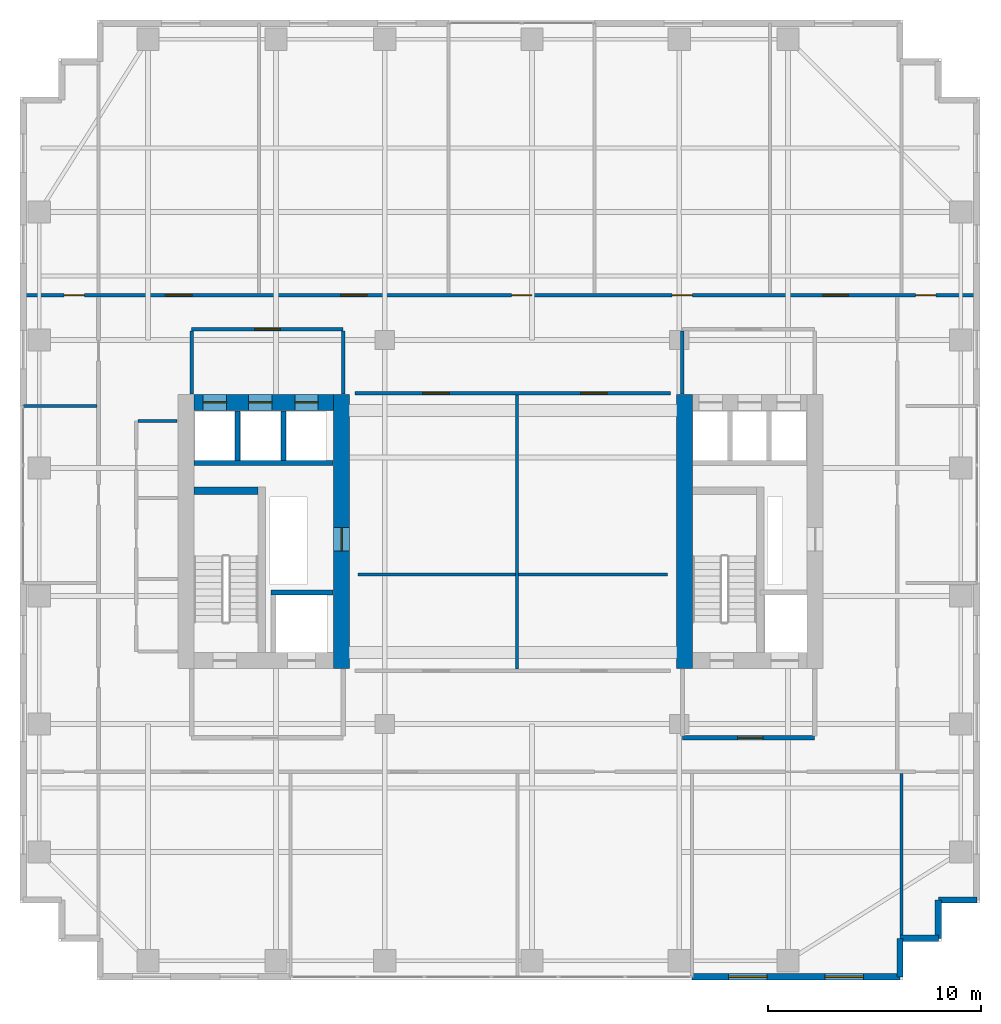
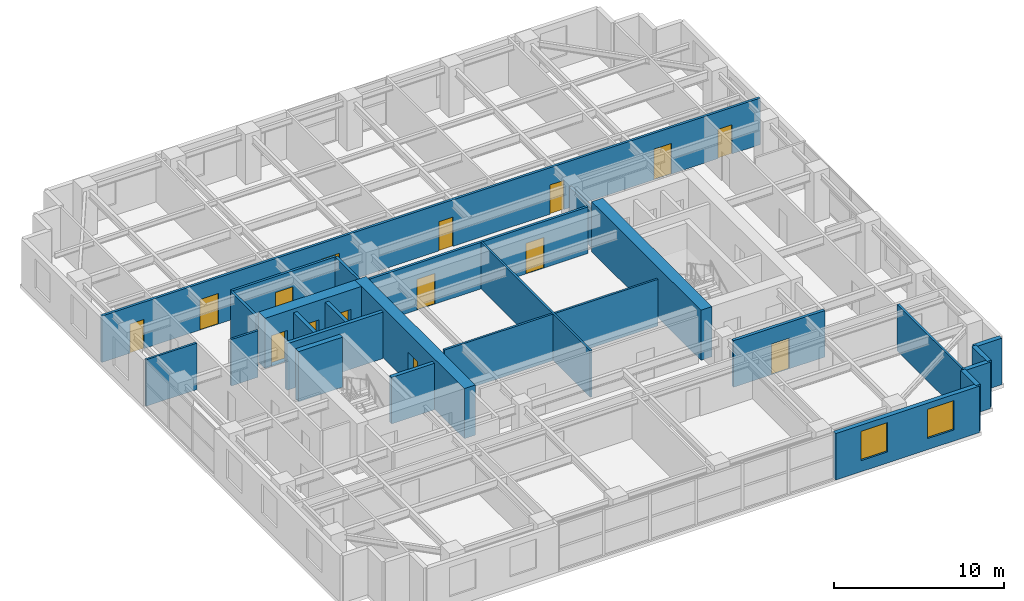
# One storey, part 15 of 18: 25 walls, 15 doors, 2 windows, 17 openings.
"""IFC4 building model written with IfcOpenShell, lengths in metres."""

from ifc_helpers import new_model, si_unit, direction, frame, frame_2d, origin, place, context, subcontext, project, spatial, rectangle, extrude, source, transform, mapped, material, layer, layer_set, type_object, element, fill, save


model = new_model("IFC4")

# Units and contexts
model_context = context("Model", 3, precision=1e-05, world=origin(), true_north=direction((0.0, 1.0)))
body_context = subcontext(model_context, "Body", "Model", "MODEL_VIEW")
ifc_project = project(units=[si_unit("LENGTHUNIT", "METRE"), si_unit("AREAUNIT", "SQUARE_METRE"), si_unit("VOLUMEUNIT", "CUBIC_METRE"), si_unit("PLANEANGLEUNIT", "RADIAN"), si_unit("MASSUNIT", "GRAM", prefix="KILO")], contexts=[model_context])

# Site, building, storey
site_placement = place(None, origin())
site = spatial("IfcSite", under=ifc_project, at=site_placement, CompositionType="ELEMENT")
building_placement = place(site_placement, origin())
building = spatial("IfcBuilding", under=site, at=building_placement, Name="Khoralis Quay Care Tower", CompositionType="ELEMENT")
storey_placement = place(building_placement, frame((0.0, 0.0, 130.5)))
storey = spatial("IfcBuildingStorey", under=building, at=storey_placement, Name="L34", CompositionType="ELEMENT", Elevation=130.5)

# Wall, opening, door
ifc_material_1 = material(Name="Gypsum plasterboard on acoustic metal stud")
ifc_layer_1 = layer(ifc_material_1, 0.199951171875)
ifc_layer_set_1 = layer_set([ifc_layer_1], Name="Gypsum plasterboard on acoustic metal stud")
wall_type_1 = type_object("IfcWallType", Name="WL-COMP-200", PredefinedType="PARTITIONING", material=ifc_layer_set_1)
wall_1_placement = place(storey_placement, frame((31.050048828125, 11.35009765625, 0.0), z_axis=(0.0, 0.0, 1.0), x_axis=(1.0, 0.0, 0.0)))
wall_1 = element("IfcWall", 1, at=wall_1_placement, inside=storey, type_object=wall_type_1, Name="L34 East Firefighting Lobby South Wall", PredefinedType="PARTITIONING", context=body_context, shape_type="SweptSolid", body=[
    extrude(rectangle(XDim=6.199951171875, YDim=0.199951171875, at=frame_2d((3.10009765625, 0.0))), origin(), (0.0, 0.0, 1.0), 3.340087890625),
])
opening_1_placement = place(wall_1_placement, frame((2.585693359375, 0.0, 0.0)))
opening_1 = element("IfcOpeningElement", 2, at=opening_1_placement, cuts=wall_1, Name="Opening FD1", PredefinedType="OPENING", context=body_context, shape_type="SweptSolid", body=[
    extrude(rectangle(XDim=1.199951171875, YDim=2.199951171875, at=frame_2d((0.60009765625, 1.10009765625))), frame((0.0, 0.10986328125, 0.0), z_axis=(0.0, -1.0, 0.0), x_axis=(1.0, 0.0, 0.0)), (0.0, 0.0, 1.0), 0.219970703125),
])
ifc_material_2 = material(Name="Fire-rated painted steel", Category="steel")
door_type_1 = type_object("IfcDoorType", Name="DR-FFL-1200X2200", OperationType="NOTDEFINED", PredefinedType="DOOR", material=ifc_material_2)
shared_shape_1 = source(origin(), body_context, "Body", "SweptSolid", [
    extrude(rectangle(XDim=1.199951171875, YDim=2.199951171875, at=frame_2d((0.60009765625, 1.10009765625))), frame((0.0, 0.02490234375, 0.0), z_axis=(0.0, -1.0, 0.0), x_axis=(1.0, 0.0, 0.0)), (0.0, 0.0, 1.0), 0.050048828125),
])
door_1_placement = place(opening_1_placement, origin())
door_1 = element("IfcDoor", 3, at=door_1_placement, inside=storey, type_object=door_type_1, Name="L34 East Firefighting Lobby Fire Door", OperationType="SINGLE_SWING_LEFT", OverallHeight=2.199951171875, OverallWidth=1.199951171875, PredefinedType="DOOR", context=body_context, shape_type="MappedRepresentation", body=[
    mapped(shared_shape_1, transform((0.0, 0.0, 0.0), scale=1.0)),
])
fill(opening_1, door_1)

ifc_material_3 = material(Name="Concrete C80/95", Category="concrete")
ifc_layer_2 = layer(ifc_material_3, 0.75)
ifc_layer_set_2 = layer_set([ifc_layer_2], Name="Concrete C80/95")
wall_type_2 = type_object("IfcWallType", Name="WL-CORE-750", PredefinedType="SHEAR", material=ifc_layer_set_2)
wall_2_placement = place(storey_placement, frame((15.074951171875, 14.60009765625, 0.0), z_axis=(0.0, 0.0, 1.0), x_axis=(0.0, 1.0, 0.0)))
wall_2 = element("IfcWall", 4, at=wall_2_placement, inside=storey, type_object=wall_type_2, Name="L34 WCORE East Shear Wall", PredefinedType="SHEAR", context=body_context, shape_type="SweptSolid", body=[
    extrude(rectangle(XDim=12.849853515625, YDim=0.75, at=frame_2d((6.4248046875, 0.0))), origin(), (0.0, 0.0, 1.0), 3.60009765625),
])
opening_2_placement = place(wall_2_placement, frame((5.5, 0.0, 0.0)))
opening_2 = element("IfcOpeningElement", 5, at=opening_2_placement, cuts=wall_2, Name="Opening SD1", PredefinedType="OPENING", context=body_context, shape_type="SweptSolid", body=[
    extrude(rectangle(XDim=1.10009765625, YDim=2.199951171875, at=frame_2d((0.550048828125, 1.10009765625))), frame((0.0, 0.385009765625, 0.0), z_axis=(0.0, -1.0, 0.0), x_axis=(1.0, 0.0, 0.0)), (0.0, 0.0, 1.0), 0.77001953125),
])
door_type_2 = type_object("IfcDoorType", Name="DR-STAIR-1100X2200", OperationType="NOTDEFINED", PredefinedType="DOOR", material=ifc_material_2)
shared_shape_2 = source(origin(), body_context, "Body", "SweptSolid", [
    extrude(rectangle(XDim=1.10009765625, YDim=2.199951171875, at=frame_2d((0.550048828125, 1.10009765625))), frame((0.0, 0.02490234375, 0.0), z_axis=(0.0, -1.0, 0.0), x_axis=(1.0, 0.0, 0.0)), (0.0, 0.0, 1.0), 0.050048828125),
])
door_2_placement = place(opening_2_placement, origin())
door_2 = element("IfcDoor", 6, at=door_2_placement, inside=storey, type_object=door_type_2, Name="L34 West MEP Riser Door", OperationType="SINGLE_SWING_RIGHT", OverallHeight=2.199951171875, OverallWidth=1.10009765625, PredefinedType="DOOR", context=body_context, shape_type="MappedRepresentation", body=[
    mapped(shared_shape_2, transform((0.0, 0.0, 0.0), scale=1.0)),
])
fill(opening_2, door_2)

# Wall, openings, doors
wall_3_placement = place(storey_placement, frame((8.14990234375, 27.074951171875, 0.0), z_axis=(0.0, 0.0, 1.0), x_axis=(1.0, 0.0, 0.0)))
wall_3 = element("IfcWall", 7, at=wall_3_placement, inside=storey, type_object=wall_type_2, Name="L34 WCORE North Shear Wall", PredefinedType="SHEAR", context=body_context, shape_type="SweptSolid", body=[
    extrude(rectangle(XDim=6.550048828125, YDim=0.75, at=frame_2d((3.27490234375, 0.0))), origin(), (0.0, 0.0, 1.0), 3.60009765625),
])
opening_3_placement = place(wall_3_placement, frame((0.429931640625, 0.0, 0.0)))
opening_3 = element("IfcOpeningElement", 8, at=opening_3_placement, cuts=wall_3, Name="Opening LD1", PredefinedType="OPENING", context=body_context, shape_type="SweptSolid", body=[
    extrude(rectangle(XDim=1.10009765625, YDim=2.199951171875, at=frame_2d((0.550048828125, 1.10009765625))), frame((0.0, 0.385009765625, 0.0), z_axis=(0.0, -1.0, 0.0), x_axis=(1.0, 0.0, 0.0)), (0.0, 0.0, 1.0), 0.77001953125),
])
opening_4_placement = place(wall_3_placement, frame((2.570068359375, 0.0, 0.0)))
opening_4 = element("IfcOpeningElement", 9, at=opening_4_placement, cuts=wall_3, Name="Opening LD1", PredefinedType="OPENING", context=body_context, shape_type="SweptSolid", body=[
    extrude(rectangle(XDim=1.10009765625, YDim=2.199951171875, at=frame_2d((0.550048828125, 1.10009765625))), frame((0.0, 0.385009765625, 0.0), z_axis=(0.0, -1.0, 0.0), x_axis=(1.0, 0.0, 0.0)), (0.0, 0.0, 1.0), 0.77001953125),
])
opening_5_placement = place(wall_3_placement, frame((4.72998046875, 0.0, 0.0)))
opening_5 = element("IfcOpeningElement", 10, at=opening_5_placement, cuts=wall_3, Name="Opening LD1", PredefinedType="OPENING", context=body_context, shape_type="SweptSolid", body=[
    extrude(rectangle(XDim=1.10009765625, YDim=2.199951171875, at=frame_2d((0.550048828125, 1.10009765625))), frame((0.0, 0.385009765625, 0.0), z_axis=(0.0, -1.0, 0.0), x_axis=(1.0, 0.0, 0.0)), (0.0, 0.0, 1.0), 0.77001953125),
])
ifc_material_4 = material(Name="Brushed stainless steel", Category="steel")
door_type_3 = type_object("IfcDoorType", Name="DR-LIFT-1100X2200", OperationType="SLIDING_TO_LEFT", PredefinedType="DOOR", material=ifc_material_4)
shared_shape_3 = source(origin(), body_context, "Body", "SweptSolid", [
    extrude(rectangle(XDim=1.10009765625, YDim=2.199951171875, at=frame_2d((0.550048828125, 1.10009765625))), frame((0.0, 0.02490234375, 0.0), z_axis=(0.0, -1.0, 0.0), x_axis=(1.0, 0.0, 0.0)), (0.0, 0.0, 1.0), 0.050048828125),
])
door_3_placement = place(opening_3_placement, origin())
door_3 = element("IfcDoor", 11, at=door_3_placement, inside=storey, type_object=door_type_3, Name="L34 Lift PLL1 Landing Door", OperationType="SLIDING_TO_LEFT", OverallHeight=2.199951171875, OverallWidth=1.10009765625, PredefinedType="DOOR", context=body_context, shape_type="MappedRepresentation", body=[
    mapped(shared_shape_3, transform((0.0, 0.0, 0.0), scale=1.0)),
])
fill(opening_3, door_3)
door_4_placement = place(opening_4_placement, origin())
door_4 = element("IfcDoor", 12, at=door_4_placement, inside=storey, type_object=door_type_3, Name="L34 Lift PLM1 Landing Door", OperationType="SLIDING_TO_LEFT", OverallHeight=2.199951171875, OverallWidth=1.10009765625, PredefinedType="DOOR", context=body_context, shape_type="MappedRepresentation", body=[
    mapped(shared_shape_3, transform((0.0, 0.0, 0.0), scale=1.0)),
])
fill(opening_4, door_4)
door_5_placement = place(opening_5_placement, origin())
door_5 = element("IfcDoor", 13, at=door_5_placement, inside=storey, type_object=door_type_3, Name="L34 Lift PLH1 Landing Door", OperationType="SLIDING_TO_LEFT", OverallHeight=2.199951171875, OverallWidth=1.10009765625, PredefinedType="DOOR", context=body_context, shape_type="MappedRepresentation", body=[
    mapped(shared_shape_3, transform((0.0, 0.0, 0.0), scale=1.0)),
])
fill(opening_5, door_5)

# Wall
wall_4_placement = place(storey_placement, frame((31.14501953125, 14.60009765625, 0.0), z_axis=(0.0, 0.0, 1.0), x_axis=(0.0, 1.0, 0.0)))
element("IfcWall", 14, at=wall_4_placement, inside=storey, type_object=wall_type_2, Name="L34 ECORE West Shear Wall", PredefinedType="SHEAR", context=body_context, shape_type="SweptSolid", body=[
    extrude(rectangle(XDim=12.849853515625, YDim=0.75, at=frame_2d((6.4248046875, 0.0))), origin(), (0.0, 0.0, 1.0), 3.60009765625),
])

# Wall, opening, door
ifc_layer_3 = layer(ifc_material_1, 0.1650390625)
ifc_layer_set_3 = layer_set([ifc_layer_3], Name="Gypsum plasterboard on acoustic metal stud")
wall_type_3 = type_object("IfcWallType", Name="WL-CORR-165", PredefinedType="PARTITIONING", material=ifc_layer_set_3)
wall_5_placement = place(storey_placement, frame((8.050048828125, 30.5, 0.0), z_axis=(0.0, 0.0, 1.0), x_axis=(1.0, 0.0, 0.0)))
wall_5 = element("IfcWall", 15, at=wall_5_placement, inside=storey, type_object=wall_type_3, Name="L34 West Lift Lobby North Wall", PredefinedType="PARTITIONING", context=body_context, shape_type="SweptSolid", body=[
    extrude(rectangle(XDim=7.099853515625, YDim=0.1650390625, at=frame_2d((3.5498046875, 0.0))), origin(), (0.0, 0.0, 1.0), 3.340087890625),
])
opening_6_placement = place(wall_5_placement, frame((2.949951171875, 0.0, 0.0)))
opening_6 = element("IfcOpeningElement", 16, at=opening_6_placement, cuts=wall_5, Name="Opening FD1", PredefinedType="OPENING", context=body_context, shape_type="SweptSolid", body=[
    extrude(rectangle(XDim=1.199951171875, YDim=2.199951171875, at=frame_2d((0.60009765625, 1.10009765625))), frame((0.0, 0.092529296875, 0.0), z_axis=(0.0, -1.0, 0.0), x_axis=(1.0, 0.0, 0.0)), (0.0, 0.0, 1.0), 0.18505859375),
])
door_6_placement = place(opening_6_placement, origin())
door_6 = element("IfcDoor", 17, at=door_6_placement, inside=storey, type_object=door_type_1, Name="L34 West Lift Lobby Double Door", OperationType="DOUBLE_DOOR_SINGLE_SWING", OverallHeight=2.199951171875, OverallWidth=1.199951171875, PredefinedType="DOOR", context=body_context, shape_type="MappedRepresentation", body=[
    mapped(shared_shape_1, transform((0.0, 0.0, 0.0), scale=1.0)),
])
fill(opening_6, door_6)

# Walls
for number, where, z_axis, x_axis, name in (
    (18, (8.050048828125, 27.469970703125, 0.0), (0.0, 0.0, 1.0), (0.0, 1.0, 0.0), "L34 West Lift Lobby West Wall"),
    (19, (15.14990234375, 27.469970703125, 0.0), (0.0, 0.0, 1.0), (0.0, 1.0, 0.0), "L34 West Lift Lobby East Wall"),
):
    element("IfcWall", number, at=place(storey_placement, frame(where, z_axis=z_axis, x_axis=x_axis)), inside=storey, type_object=wall_type_3, Name=name, PredefinedType="PARTITIONING", context=body_context, shape_type="SweptSolid", body=[
        extrude(rectangle(XDim=2.95263671875, YDim=0.1650390625, at=frame_2d((1.476318359375, 0.0))), origin(), (0.0, 0.0, 1.0), 3.340087890625),
    ])
wall_6_placement = place(storey_placement, frame((31.050048828125, 27.469970703125, 0.0), z_axis=(0.0, 0.0, 1.0), x_axis=(0.0, 1.0, 0.0)))
element("IfcWall", 20, at=wall_6_placement, inside=storey, type_object=wall_type_3, Name="L34 East Lift Lobby West Wall", PredefinedType="PARTITIONING", context=body_context, shape_type="SweptSolid", body=[
    extrude(rectangle(XDim=2.95263671875, YDim=0.1650390625, at=frame_2d((1.476318359375, 0.0))), origin(), (0.0, 0.0, 1.0), 2.7958984375),
])

# Wall, openings, doors
wall_7_placement = place(storey_placement, frame((0.14501953125, 32.10009765625, 0.0), z_axis=(0.0, 0.0, 1.0), x_axis=(1.0, 0.0, 0.0)))
wall_7 = element("IfcWall", 21, at=wall_7_placement, inside=storey, type_object=wall_type_3, Name="L34 North Main Corridor Wall", PredefinedType="PARTITIONING", context=body_context, shape_type="SweptSolid", body=[
    extrude(rectangle(XDim=44.7099609375, YDim=0.1650390625, at=frame_2d((22.35498046875, 0.0))), origin(), (0.0, 0.0, 1.0), 3.340087890625),
])
opening_7_placement = place(wall_7_placement, frame((6.675048828125, 0.0, 0.0)))
opening_7 = element("IfcOpeningElement", 22, at=opening_7_placement, cuts=wall_7, Name="Opening CD1", PredefinedType="OPENING", context=body_context, shape_type="SweptSolid", body=[
    extrude(rectangle(XDim=1.25, YDim=2.199951171875, at=frame_2d((0.625, 1.10009765625))), frame((0.0, 0.092529296875, 0.0), z_axis=(0.0, -1.0, 0.0), x_axis=(1.0, 0.0, 0.0)), (0.0, 0.0, 1.0), 0.18505859375),
])
opening_8_placement = place(wall_7_placement, frame((14.8798828125, 0.0, 0.0)))
opening_8 = element("IfcOpeningElement", 23, at=opening_8_placement, cuts=wall_7, Name="Opening CD1", PredefinedType="OPENING", context=body_context, shape_type="SweptSolid", body=[
    extrude(rectangle(XDim=1.25, YDim=2.199951171875, at=frame_2d((0.625, 1.10009765625))), frame((0.0, 0.092529296875, 0.0), z_axis=(0.0, -1.0, 0.0), x_axis=(1.0, 0.0, 0.0)), (0.0, 0.0, 1.0), 0.18505859375),
])
opening_9_placement = place(wall_7_placement, frame((22.89501953125, 0.0, 0.0)))
opening_9 = element("IfcOpeningElement", 24, at=opening_9_placement, cuts=wall_7, Name="Opening ID1", PredefinedType="OPENING", context=body_context, shape_type="SweptSolid", body=[
    extrude(rectangle(XDim=0.949951171875, YDim=2.10009765625, at=frame_2d((0.47509765625, 1.050048828125))), frame((0.0, 0.092529296875, 0.0), z_axis=(0.0, -1.0, 0.0), x_axis=(1.0, 0.0, 0.0)), (0.0, 0.0, 1.0), 0.18505859375),
])
opening_10_placement = place(wall_7_placement, frame((30.425048828125, 0.0, 0.0)))
opening_10 = element("IfcOpeningElement", 25, at=opening_10_placement, cuts=wall_7, Name="Opening ID1", PredefinedType="OPENING", context=body_context, shape_type="SweptSolid", body=[
    extrude(rectangle(XDim=0.949951171875, YDim=2.10009765625, at=frame_2d((0.47509765625, 1.050048828125))), frame((0.0, 0.092529296875, 0.0), z_axis=(0.0, -1.0, 0.0), x_axis=(1.0, 0.0, 0.0)), (0.0, 0.0, 1.0), 0.18505859375),
])
opening_11_placement = place(wall_7_placement, frame((37.489990234375, 0.0, 0.0)))
opening_11 = element("IfcOpeningElement", 26, at=opening_11_placement, cuts=wall_7, Name="Opening FD1", PredefinedType="OPENING", context=body_context, shape_type="SweptSolid", body=[
    extrude(rectangle(XDim=1.199951171875, YDim=2.199951171875, at=frame_2d((0.60009765625, 1.10009765625))), frame((0.0, 0.092529296875, 0.0), z_axis=(0.0, -1.0, 0.0), x_axis=(1.0, 0.0, 0.0)), (0.0, 0.0, 1.0), 0.18505859375),
])
opening_12_placement = place(wall_7_placement, frame((1.919921875, 0.0, 0.0)))
opening_12 = element("IfcOpeningElement", 27, at=opening_12_placement, cuts=wall_7, Name="Opening ID1", PredefinedType="OPENING", context=body_context, shape_type="SweptSolid", body=[
    extrude(rectangle(XDim=0.949951171875, YDim=2.10009765625, at=frame_2d((0.47509765625, 1.050048828125))), frame((0.0, 0.092529296875, 0.0), z_axis=(0.0, -1.0, 0.0), x_axis=(1.0, 0.0, 0.0)), (0.0, 0.0, 1.0), 0.18505859375),
])
opening_13_placement = place(wall_7_placement, frame((41.840087890625, 0.0, 0.0)))
opening_13 = element("IfcOpeningElement", 28, at=opening_13_placement, cuts=wall_7, Name="Opening ID1", PredefinedType="OPENING", context=body_context, shape_type="SweptSolid", body=[
    extrude(rectangle(XDim=0.949951171875, YDim=2.10009765625, at=frame_2d((0.47509765625, 1.050048828125))), frame((0.0, 0.092529296875, 0.0), z_axis=(0.0, -1.0, 0.0), x_axis=(1.0, 0.0, 0.0)), (0.0, 0.0, 1.0), 0.18505859375),
])
door_7_placement = place(opening_11_placement, origin())
door_7 = element("IfcDoor", 29, at=door_7_placement, inside=storey, type_object=door_type_1, Name="L34 Senior Wellness Pharmacy Shop Door", OperationType="DOUBLE_DOOR_SINGLE_SWING", OverallHeight=2.199951171875, OverallWidth=1.199951171875, PredefinedType="DOOR", context=body_context, shape_type="MappedRepresentation", body=[
    mapped(shared_shape_1, transform((0.0, 0.0, 0.0), scale=1.0)),
])
fill(opening_11, door_7)
ifc_material_5 = material(Name="Acoustic hardwood timber", Category="wood")
door_type_4 = type_object("IfcDoorType", Name="DR-CARE-1250X2200", OperationType="NOTDEFINED", PredefinedType="DOOR", material=ifc_material_5)
shared_shape_4 = source(origin(), body_context, "Body", "SweptSolid", [
    extrude(rectangle(XDim=1.25, YDim=2.199951171875, at=frame_2d((0.625, 1.10009765625))), frame((0.0, 0.02490234375, 0.0), z_axis=(0.0, -1.0, 0.0), x_axis=(1.0, 0.0, 0.0)), (0.0, 0.0, 1.0), 0.050048828125),
])
door_8_placement = place(opening_7_placement, origin())
door_8 = element("IfcDoor", 30, at=door_8_placement, inside=storey, type_object=door_type_4, Name="L34 Physiotherapy Treatment Clinic Door", OperationType="SINGLE_SWING_RIGHT", OverallHeight=2.199951171875, OverallWidth=1.25, PredefinedType="DOOR", context=body_context, shape_type="MappedRepresentation", body=[
    mapped(shared_shape_4, transform((0.0, 0.0, 0.0), scale=1.0)),
])
fill(opening_7, door_8)
door_9_placement = place(opening_8_placement, origin())
door_9 = element("IfcDoor", 31, at=door_9_placement, inside=storey, type_object=door_type_4, Name="L34 Geriatric Consultation Clinic Door", OperationType="SINGLE_SWING_LEFT", OverallHeight=2.199951171875, OverallWidth=1.25, PredefinedType="DOOR", context=body_context, shape_type="MappedRepresentation", body=[
    mapped(shared_shape_4, transform((0.0, 0.0, 0.0), scale=1.0)),
])
fill(opening_8, door_9)
door_type_5 = type_object("IfcDoorType", Name="DR-ROOM-950X2100", OperationType="NOTDEFINED", PredefinedType="DOOR", material=ifc_material_5)
shared_shape_5 = source(origin(), body_context, "Body", "SweptSolid", [
    extrude(rectangle(XDim=0.949951171875, YDim=2.10009765625, at=frame_2d((0.47509765625, 1.050048828125))), frame((0.0, 0.02490234375, 0.0), z_axis=(0.0, -1.0, 0.0), x_axis=(1.0, 0.0, 0.0)), (0.0, 0.0, 1.0), 0.050048828125),
])
door_10_placement = place(opening_9_placement, origin())
door_10 = element("IfcDoor", 32, at=door_10_placement, inside=storey, type_object=door_type_5, Name="L34 Family Case Conference Room Door", OperationType="SINGLE_SWING_LEFT", OverallHeight=2.10009765625, OverallWidth=0.949951171875, PredefinedType="DOOR", context=body_context, shape_type="MappedRepresentation", body=[
    mapped(shared_shape_5, transform((0.0, 0.0, 0.0), scale=1.0)),
])
fill(opening_9, door_10)
door_11_placement = place(opening_10_placement, origin())
door_11 = element("IfcDoor", 33, at=door_11_placement, inside=storey, type_object=door_type_5, Name="L34 Care Coordination Office Door", OperationType="SINGLE_SWING_RIGHT", OverallHeight=2.10009765625, OverallWidth=0.949951171875, PredefinedType="DOOR", context=body_context, shape_type="MappedRepresentation", body=[
    mapped(shared_shape_5, transform((0.0, 0.0, 0.0), scale=1.0)),
])
fill(opening_10, door_11)
door_12_placement = place(opening_12_placement, origin())
door_12 = element("IfcDoor", 34, at=door_12_placement, inside=storey, type_object=door_type_5, Name="L34 NW Corner Door", OperationType="SINGLE_SWING_RIGHT", OverallHeight=2.10009765625, OverallWidth=0.949951171875, PredefinedType="DOOR", context=body_context, shape_type="MappedRepresentation", body=[
    mapped(shared_shape_5, transform((0.0, 0.0, 0.0), scale=1.0)),
])
fill(opening_12, door_12)
door_13_placement = place(opening_13_placement, origin())
door_13 = element("IfcDoor", 35, at=door_13_placement, inside=storey, type_object=door_type_5, Name="L34 NE Corner Door", OperationType="SINGLE_SWING_LEFT", OverallHeight=2.10009765625, OverallWidth=0.949951171875, PredefinedType="DOOR", context=body_context, shape_type="MappedRepresentation", body=[
    mapped(shared_shape_5, transform((0.0, 0.0, 0.0), scale=1.0)),
])
fill(opening_13, door_13)

wall_8_placement = place(storey_placement, frame((15.699951171875, 27.5, 0.0), z_axis=(0.0, 0.0, 1.0), x_axis=(1.0, 0.0, 0.0)))
wall_8 = element("IfcWall", 36, at=wall_8_placement, inside=storey, type_object=wall_type_3, Name="L34 Central Clinical North Wall", PredefinedType="PARTITIONING", context=body_context, shape_type="SweptSolid", body=[
    extrude(rectangle(XDim=14.800048828125, YDim=0.1650390625, at=frame_2d((7.39990234375, 0.0))), origin(), (0.0, 0.0, 1.0), 3.340087890625),
])
opening_14_placement = place(wall_8_placement, frame((3.175048828125, 0.0, 0.0)))
opening_14 = element("IfcOpeningElement", 37, at=opening_14_placement, cuts=wall_8, Name="Opening CD1", PredefinedType="OPENING", context=body_context, shape_type="SweptSolid", body=[
    extrude(rectangle(XDim=1.25, YDim=2.199951171875, at=frame_2d((0.625, 1.10009765625))), frame((0.0, 0.092529296875, 0.0), z_axis=(0.0, -1.0, 0.0), x_axis=(1.0, 0.0, 0.0)), (0.0, 0.0, 1.0), 0.18505859375),
])
opening_15_placement = place(wall_8_placement, frame((10.574951171875, 0.0, 0.0)))
opening_15 = element("IfcOpeningElement", 38, at=opening_15_placement, cuts=wall_8, Name="Opening CD1", PredefinedType="OPENING", context=body_context, shape_type="SweptSolid", body=[
    extrude(rectangle(XDim=1.25, YDim=2.199951171875, at=frame_2d((0.625, 1.10009765625))), frame((0.0, 0.092529296875, 0.0), z_axis=(0.0, -1.0, 0.0), x_axis=(1.0, 0.0, 0.0)), (0.0, 0.0, 1.0), 0.18505859375),
])
door_14_placement = place(opening_14_placement, frame((1.25, 0.0, 0.0), z_axis=(0.0, 0.0, 1.0), x_axis=(-1.0, 0.0, 0.0)))
door_14 = element("IfcDoor", 39, at=door_14_placement, inside=storey, type_object=door_type_4, Name="L34 Library Lounge Door", OperationType="SINGLE_SWING_LEFT", OverallHeight=2.199951171875, OverallWidth=1.25, PredefinedType="DOOR", context=body_context, shape_type="MappedRepresentation", body=[
    mapped(shared_shape_4, transform((0.0, 0.0, 0.0), scale=1.0)),
])
fill(opening_14, door_14)
door_15_placement = place(opening_15_placement, frame((1.25, 0.0, 0.0), z_axis=(0.0, 0.0, 1.0), x_axis=(-1.0, 0.0, 0.0)))
door_15 = element("IfcDoor", 40, at=door_15_placement, inside=storey, type_object=door_type_4, Name="L34 Occupational Therapy Door", OperationType="SINGLE_SWING_RIGHT", OverallHeight=2.199951171875, OverallWidth=1.25, PredefinedType="DOOR", context=body_context, shape_type="MappedRepresentation", body=[
    mapped(shared_shape_4, transform((0.0, 0.0, 0.0), scale=1.0)),
])
fill(opening_15, door_15)

# Wall, openings, windows
ifc_material_6 = material(Name="Precast concrete C45/55", Category="concrete")
ifc_layer_4 = layer(ifc_material_6, 0.300048828125)
ifc_layer_set_4 = layer_set([ifc_layer_4], Name="Precast concrete C45/55")
wall_type_4 = type_object("IfcWallType", Name="WL-EXT-REF-300", PredefinedType="SOLIDWALL", material=ifc_layer_set_4)
wall_9_placement = place(storey_placement, frame((31.5, 0.14990234375, 0.0), z_axis=(0.0, 0.0, 1.0), x_axis=(1.0, 0.0, 0.0)))
wall_9 = element("IfcWall", 41, at=wall_9_placement, inside=storey, type_object=wall_type_4, Name="L34 External Facade Wall WL-EXT-L34-P1-E0B", PredefinedType="SOLIDWALL", context=body_context, shape_type="SweptSolid", body=[
    extrude(rectangle(XDim=9.75, YDim=0.300048828125, at=frame_2d((4.875, 0.0))), origin(), (0.0, 0.0, 1.0), 3.340087890625),
])
opening_16_placement = place(wall_9_placement, frame((1.717529296875, 0.0, 0.800048828125)))
opening_16 = element("IfcOpeningElement", 42, at=opening_16_placement, cuts=wall_9, Name="Opening W2", PredefinedType="OPENING", context=body_context, shape_type="SweptSolid", body=[
    extrude(rectangle(XDim=1.800048828125, YDim=2.10009765625, at=frame_2d((0.89990234375, 1.050048828125))), frame((0.0, 0.16015625, 0.0), z_axis=(0.0, -1.0, 0.0), x_axis=(1.0, 0.0, 0.0)), (0.0, 0.0, 1.0), 0.320068359375),
])
opening_17_placement = place(wall_9_placement, frame((6.232421875, 0.0, 0.800048828125)))
opening_17 = element("IfcOpeningElement", 43, at=opening_17_placement, cuts=wall_9, Name="Opening W2", PredefinedType="OPENING", context=body_context, shape_type="SweptSolid", body=[
    extrude(rectangle(XDim=1.800048828125, YDim=2.10009765625, at=frame_2d((0.89990234375, 1.050048828125))), frame((0.0, 0.16015625, 0.0), z_axis=(0.0, -1.0, 0.0), x_axis=(1.0, 0.0, 0.0)), (0.0, 0.0, 1.0), 0.320068359375),
])
ifc_material_7 = material(Name="Low-E solar-control double glazing", Category="glass")
window_type = type_object("IfcWindowType", Name="WN-POD-1800X2100", PartitioningType="SINGLE_PANEL", PredefinedType="WINDOW", material=ifc_material_7)
shared_shape_6 = source(origin(), body_context, "Body", "SweptSolid", [
    extrude(rectangle(XDim=1.800048828125, YDim=2.10009765625, at=frame_2d((0.89990234375, 1.050048828125))), frame((0.0, 0.030029296875, 0.0), z_axis=(0.0, -1.0, 0.0), x_axis=(1.0, 0.0, 0.0)), (0.0, 0.0, 1.0), 0.06005859375),
])
window_1_placement = place(opening_16_placement, origin())
window_1 = element("IfcWindow", 44, at=window_1_placement, inside=storey, type_object=window_type, Name="WN-L34-P1-E0B Facade Window 01", OverallHeight=2.10009765625, OverallWidth=1.800048828125, PartitioningType="SINGLE_PANEL", PredefinedType="WINDOW", context=body_context, shape_type="MappedRepresentation", body=[
    mapped(shared_shape_6, transform((0.0, 0.0, 0.0), scale=1.0)),
])
fill(opening_16, window_1)
window_2_placement = place(opening_17_placement, origin())
window_2 = element("IfcWindow", 45, at=window_2_placement, inside=storey, type_object=window_type, Name="WN-L34-P1-E0B Facade Window 02", OverallHeight=2.10009765625, OverallWidth=1.800048828125, PartitioningType="SINGLE_PANEL", PredefinedType="WINDOW", context=body_context, shape_type="MappedRepresentation", body=[
    mapped(shared_shape_6, transform((0.0, 0.0, 0.0), scale=1.0)),
])
fill(opening_17, window_2)

# Walls
for number, where, z_axis, x_axis, name in (
    (46, (41.25, 0.14990234375, 0.0), (0.0, 0.0, 1.0), (0.0, 1.0, 0.0), "L34 External Facade Wall WL-EXT-L34-P1-C1"),
    (47, (41.25, 1.949951171875, 0.0), (0.0, 0.0, 1.0), (1.0, 0.0, 0.0), "L34 External Facade Wall WL-EXT-L34-P1-C2"),
    (48, (43.050048828125, 1.949951171875, 0.0), (0.0, 0.0, 1.0), (0.0, 1.0, 0.0), "L34 External Facade Wall WL-EXT-L34-P1-C3"),
    (49, (43.050048828125, 3.75, 0.0), (0.0, 0.0, 1.0), (1.0, 0.0, 0.0), "L34 External Facade Wall WL-EXT-L34-P1-C4"),
):
    element("IfcWall", number, at=place(storey_placement, frame(where, z_axis=z_axis, x_axis=x_axis)), inside=storey, type_object=wall_type_4, Name=name, PredefinedType="SOLIDWALL", context=body_context, shape_type="SweptSolid", body=[
        extrude(rectangle(XDim=1.800048828125, YDim=0.300048828125, at=frame_2d((0.89990234375, 0.0))), origin(), (0.0, 0.0, 1.0), 3.340087890625),
    ])
ifc_material_8 = material(Name="Concrete C40/50", Category="concrete")
ifc_layer_5 = layer(ifc_material_8, 0.35009765625)
ifc_layer_set_5 = layer_set([ifc_layer_5], Name="Concrete C40/50")
wall_type_5 = type_object("IfcWallType", Name="WL-SC-CORE-350", PredefinedType="SHEAR", material=ifc_layer_set_5)
wall_10_placement = place(storey_placement, frame((8.14990234375, 22.925048828125, 0.0), z_axis=(0.0, 0.0, 1.0), x_axis=(1.0, 0.0, 0.0)))
element("IfcWall", 50, at=wall_10_placement, inside=storey, type_object=wall_type_5, Name="L34 Stair ST-T1 Shear Baffle Wall North", PredefinedType="SHEAR", context=body_context, shape_type="SweptSolid", body=[
    extrude(rectangle(XDim=3.0, YDim=0.35009765625, at=frame_2d((1.5, 0.0))), origin(), (0.0, 0.0, 1.0), 3.60009765625),
])
ifc_layer_6 = layer(ifc_material_1, 0.239990234375)
ifc_layer_set_6 = layer_set([ifc_layer_6], Name="Gypsum plasterboard on acoustic metal stud")
wall_type_6 = type_object("IfcWallType", Name="WL-SHAFT-240", PredefinedType="PARTITIONING", material=ifc_layer_set_6)
wall_11_placement = place(storey_placement, frame((11.760009765625, 18.169921875, 0.0), z_axis=(0.0, 0.0, 1.0), x_axis=(1.0, 0.0, 0.0)))
element("IfcWall", 51, at=wall_11_placement, inside=storey, type_object=wall_type_6, Name="L34 FFL-1 Shaft Wall North", PredefinedType="PARTITIONING", context=body_context, shape_type="SweptSolid", body=[
    extrude(rectangle(XDim=2.919921875, YDim=0.239990234375, at=frame_2d((1.4599609375, 0.0))), origin(), (0.0, 0.0, 1.0), 3.340087890625),
])
wall_12_placement = place(storey_placement, frame((8.14990234375, 24.22998046875, 0.0), z_axis=(0.0, 0.0, 1.0), x_axis=(1.0, 0.0, 0.0)))
element("IfcWall", 52, at=wall_12_placement, inside=storey, type_object=wall_type_6, Name="L34 West Passenger Shaft South Wall", PredefinedType="PARTITIONING", context=body_context, shape_type="SweptSolid", body=[
    extrude(rectangle(XDim=6.530029296875, YDim=0.239990234375, at=frame_2d((3.26513671875, 0.0))), origin(), (0.0, 0.0, 1.0), 3.340087890625),
])
for number, where, z_axis, x_axis, name in (
    (53, (10.199951171875, 24.344970703125, 0.0), (0.0, 0.0, 1.0), (0.0, 1.0, 0.0), "L34 West Shaft Divider 1"),
    (54, (12.35009765625, 24.344970703125, 0.0), (0.0, 0.0, 1.0), (0.0, 1.0, 0.0), "L34 West Shaft Divider 2"),
):
    element("IfcWall", number, at=place(storey_placement, frame(where, z_axis=z_axis, x_axis=x_axis)), inside=storey, type_object=wall_type_6, Name=name, PredefinedType="PARTITIONING", context=body_context, shape_type="SweptSolid", body=[
        extrude(rectangle(XDim=2.3349609375, YDim=0.239990234375, at=frame_2d((1.16748046875, 0.0))), origin(), (0.0, 0.0, 1.0), 3.340087890625),
    ])
ifc_layer_7 = layer(ifc_material_1, 0.139892578125)
ifc_layer_set_7 = layer_set([ifc_layer_7], Name="Gypsum plasterboard on acoustic metal stud")
wall_type_7 = type_object("IfcWallType", Name="WL-UNIT-140", PredefinedType="PARTITIONING", material=ifc_layer_set_7)
wall_13_placement = place(storey_placement, frame((5.527587890625, 26.199951171875, 0.0), z_axis=(0.0, 0.0, 1.0), x_axis=(1.0, 0.0, 0.0)))
element("IfcWall", 55, at=wall_13_placement, inside=storey, type_object=wall_type_7, Name="L34 West Flank North Cap", PredefinedType="PARTITIONING", context=body_context, shape_type="SweptSolid", body=[
    extrude(rectangle(XDim=1.83251953125, YDim=0.139892578125, at=frame_2d((0.916259765625, 0.0))), origin(), (0.0, 0.0, 1.0), 3.340087890625),
])
wall_14_placement = place(storey_placement, frame((0.14501953125, 26.89990234375, 0.0), z_axis=(0.0, 0.0, 1.0), x_axis=(1.0, 0.0, 0.0)))
element("IfcWall", 56, at=wall_14_placement, inside=storey, type_object=wall_type_7, Name="L34 WW Divider 2", PredefinedType="PARTITIONING", context=body_context, shape_type="SweptSolid", body=[
    extrude(rectangle(XDim=3.45751953125, YDim=0.139892578125, at=frame_2d((1.728759765625, 0.0))), origin(), (0.0, 0.0, 1.0), 3.340087890625),
])
wall_15_placement = place(storey_placement, frame((23.300048828125, 14.577392578125, 0.0), z_axis=(0.0, 0.0, 1.0), x_axis=(0.0, 1.0, 0.0)))
element("IfcWall", 57, at=wall_15_placement, inside=storey, type_object=wall_type_7, Name="L34 Central Split V", PredefinedType="PARTITIONING", context=body_context, shape_type="SweptSolid", body=[
    extrude(rectangle(XDim=12.84521484375, YDim=0.139892578125, at=frame_2d((6.422607421875, 0.0))), origin(), (0.0, 0.0, 1.0), 3.340087890625),
])
wall_16_placement = place(storey_placement, frame((15.85009765625, 19.0, 0.0), z_axis=(0.0, 0.0, 1.0), x_axis=(1.0, 0.0, 0.0)))
element("IfcWall", 58, at=wall_16_placement, inside=storey, type_object=wall_type_7, Name="L34 Central Split H", PredefinedType="PARTITIONING", context=body_context, shape_type="SweptSolid", body=[
    extrude(rectangle(XDim=14.5, YDim=0.139892578125, at=frame_2d((7.25, 0.0))), origin(), (0.0, 0.0, 1.0), 3.340087890625),
])
wall_17_placement = place(storey_placement, frame((41.320068359375, 1.945068359375, 0.0), z_axis=(0.0, 0.0, 1.0), x_axis=(0.0, 1.0, 0.0)))
element("IfcWall", 59, at=wall_17_placement, inside=storey, type_object=wall_type_7, Name="L34 SB Demising Wall 4", PredefinedType="PARTITIONING", context=body_context, shape_type="SweptSolid", body=[
    extrude(rectangle(XDim=7.737548828125, YDim=0.139892578125, at=frame_2d((3.86865234375, 0.0))), origin(), (0.0, 0.0, 1.0), 3.340087890625),
])

save(model, "model.ifc")
